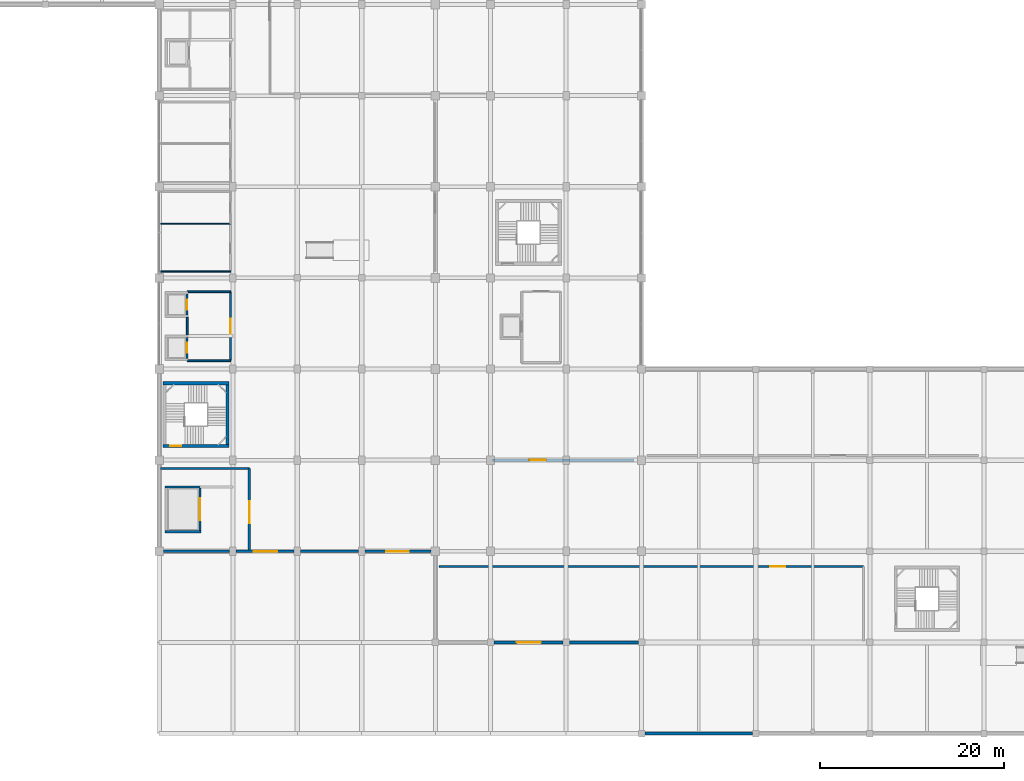
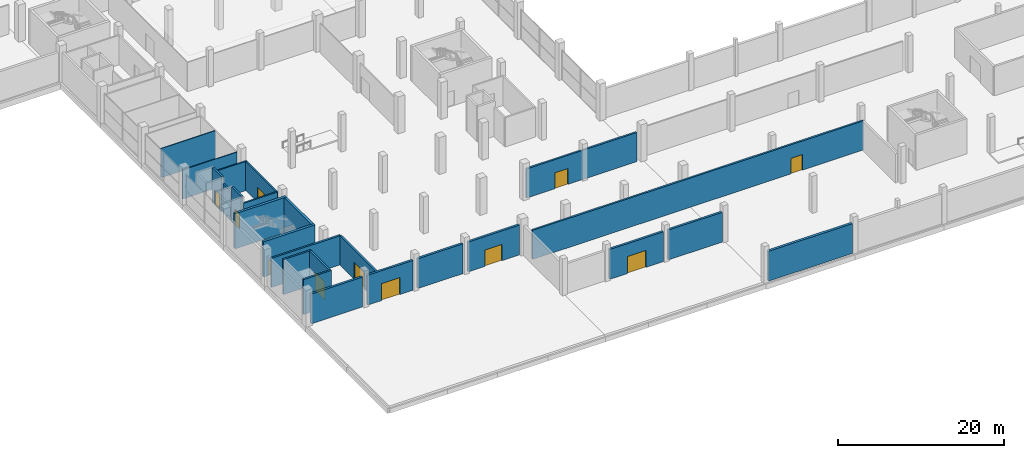
# One storey, part 20 of 50: 25 walls, 11 doors, 11 openings.
"""IFC4 building model written with IfcOpenShell, lengths in metres."""

from ifc_helpers import new_model, si_unit, direction, frame, frame_2d, origin, place, context, subcontext, project, spatial, rectangle, extrude, material, layer, layer_set, type_object, element, fill, save


model = new_model("IFC4")

# Units and contexts
model_context = context("Model", 3, precision=1e-05, world=origin(), true_north=direction((0.0, 1.0)))
body_context = subcontext(model_context, "Body", "Model", "MODEL_VIEW")
ifc_project = project(units=[si_unit("LENGTHUNIT", "METRE"), si_unit("AREAUNIT", "SQUARE_METRE"), si_unit("VOLUMEUNIT", "CUBIC_METRE"), si_unit("PLANEANGLEUNIT", "RADIAN"), si_unit("MASSUNIT", "GRAM", prefix="KILO")], contexts=[model_context])

# Site, building, storey
site_placement = place(None, origin())
site = spatial("IfcSite", under=ifc_project, at=site_placement, CompositionType="ELEMENT")
building_placement = place(site_placement, origin())
building = spatial("IfcBuilding", under=site, at=building_placement, Name="Sillaruma Civic Art Gallery", CompositionType="ELEMENT")
storey_placement = place(building_placement, origin())
storey = spatial("IfcBuildingStorey", under=building, at=storey_placement, Name="L00", CompositionType="ELEMENT", Elevation=0.0)

# Wall, opening, door
ifc_material_1 = material(Name="Concrete H40 (40 MPa)", Category="concrete")
ifc_layer_1 = layer(ifc_material_1, 0.35009765625, Name="Concrete H40 (40 MPa)")
ifc_layer_set_1 = layer_set([ifc_layer_1], Name="Concrete H40 (40 MPa)")
wall_type_1 = type_object("IfcWallType", Name="WAL-CORE-350", PredefinedType="SHEAR", material=ifc_layer_set_1)
wall_1_placement = place(storey_placement, frame((62.409912109375, 31.235107421875, 0.0), z_axis=(0.0, 0.0, 1.0), x_axis=(1.0, 0.0, 0.0)))
wall_1 = element("IfcWall", 1, at=wall_1_placement, inside=storey, type_object=wall_type_1, Name="Stair Core Shear Wall W-CORE-350 (ST-03:L00:S)", PredefinedType="SHEAR", context=body_context, shape_type="SweptSolid", body=[
    extrude(rectangle(XDim=7.18017578125, YDim=0.35009765625, at=frame_2d((3.590087890625, 0.0))), origin(), (0.0, 0.0, 1.0), 5.179931640625),
])
opening_1_placement = place(wall_1_placement, frame((0.77001953125, 0.0, 0.0)))
opening_1 = element("IfcOpeningElement", 2, at=opening_1_placement, cuts=wall_1, Name="Opening D-STAIR", PredefinedType="OPENING", context=body_context, shape_type="SweptSolid", body=[
    extrude(rectangle(XDim=1.199951171875, YDim=2.199951171875, at=frame_2d((0.60009765625, 1.10009765625))), frame((0.0, 0.18505859375, 0.0), z_axis=(0.0, -1.0, 0.0), x_axis=(1.0, 0.0, 0.0)), (0.0, 0.0, 1.0), 0.3701171875),
])
ifc_material_2 = material(Name="Galvanised Steel ASTM A653 Gr.50", Category="steel")
door_type_1 = type_object("IfcDoorType", Name="DOR-STAIR-120", OperationType="NOTDEFINED", PredefinedType="DOOR", material=ifc_material_2)
door_1_placement = place(opening_1_placement, frame((1.199951171875, 0.0, 0.0), z_axis=(0.0, 0.0, 1.0), x_axis=(-1.0, 0.0, 0.0)))
door_1 = element("IfcDoor", 3, at=door_1_placement, inside=storey, type_object=door_type_1, Name="Protected Stair Fire Door (ST-03:L00)", OperationType="SINGLE_SWING_RIGHT", OverallHeight=2.199951171875, OverallWidth=1.199951171875, PredefinedType="DOOR", context=body_context, shape_type="SweptSolid", body=[
    extrude(rectangle(XDim=1.199951171875, YDim=2.199951171875, at=frame_2d((0.60009765625, 1.10009765625))), frame((0.0, 0.02490234375, 0.0), z_axis=(0.0, -1.0, 0.0), x_axis=(1.0, 0.0, 0.0)), (0.0, 0.0, 1.0), 0.050048828125),
])
fill(opening_1, door_1)

# Walls
wall_2_placement = place(storey_placement, frame((62.409912109375, 38.06494140625, 0.0), z_axis=(0.0, 0.0, 1.0), x_axis=(1.0, 0.0, 0.0)))
element("IfcWall", 4, at=wall_2_placement, inside=storey, type_object=wall_type_1, Name="Stair Core Shear Wall W-CORE-350 (ST-03:L00:N)", PredefinedType="SHEAR", context=body_context, shape_type="SweptSolid", body=[
    extrude(rectangle(XDim=7.18017578125, YDim=0.35009765625, at=frame_2d((3.590087890625, 0.0))), origin(), (0.0, 0.0, 1.0), 5.179931640625),
])
wall_3_placement = place(storey_placement, frame((69.4150390625, 31.409912109375, 0.0), z_axis=(0.0, 0.0, 1.0), x_axis=(0.0, 1.0, 0.0)))
element("IfcWall", 5, at=wall_3_placement, inside=storey, type_object=wall_type_1, Name="Stair Core Shear Wall W-CORE-350 (ST-03:L00:E)", PredefinedType="SHEAR", context=body_context, shape_type="SweptSolid", body=[
    extrude(rectangle(XDim=6.47998046875, YDim=0.35009765625, at=frame_2d((3.239990234375, 0.0))), origin(), (0.0, 0.0, 1.0), 5.179931640625),
])
ifc_material_3 = material(Name="Precast Concrete H35 (35 MPa)", Category="concrete")
ifc_layer_2 = layer(ifc_material_3, 0.179931640625, Name="Precast backup", Category="concrete")
ifc_material_4 = material(Name="Mineral Wool Thermal Insulation", Category="insulation")
ifc_layer_3 = layer(ifc_material_4, 0.090087890625, Name="Thermal insulation", Category="insulation")
ifc_material_5 = material(Name="Comanche Granitic Ashlar Stone", Category="masonry")
ifc_layer_4 = layer(ifc_material_5, 0.030029296875, Name="Rainscreen cladding", Category="masonry")
ifc_layer_set_2 = layer_set([ifc_layer_2, ifc_layer_3, ifc_layer_4], Name="W-EXT-300")
wall_type_2 = type_object("IfcWallType", Name="WAL-EXT-300", PredefinedType="SOLIDWALL", material=ifc_layer_set_2)
wall_4_placement = place(storey_placement, frame((62.47509765625, 19.800048828125, 0.0), z_axis=(0.0, 0.0, 1.0), x_axis=(1.0, 0.0, 0.0)))
element("IfcWall", 6, at=wall_4_placement, inside=storey, type_object=wall_type_2, Name="Exterior Wall W-EXT-300 (EW-L00-PSW-FG)", PredefinedType="SOLIDWALL", context=body_context, shape_type="SweptSolid", body=[
    extrude(rectangle(XDim=7.1748046875, YDim=0.300048828125, at=frame_2d((3.58740234375, 0.0))), origin(), (0.0, 0.0, 1.0), 4.39990234375),
])

# Wall, opening, door
wall_5_placement = place(storey_placement, frame((70.35009765625, 19.800048828125, 0.0), z_axis=(0.0, 0.0, 1.0), x_axis=(1.0, 0.0, 0.0)))
wall_5 = element("IfcWall", 7, at=wall_5_placement, inside=storey, type_object=wall_type_2, Name="Exterior Wall W-EXT-300 (EW-L00-PSW-GH)", PredefinedType="SOLIDWALL", context=body_context, shape_type="SweptSolid", body=[
    extrude(rectangle(XDim=6.2998046875, YDim=0.300048828125, at=frame_2d((3.14990234375, 0.0))), origin(), (0.0, 0.0, 1.0), 4.39990234375),
])
opening_2_placement = place(wall_5_placement, frame((1.89990234375, 0.0, 0.0)))
opening_2 = element("IfcOpeningElement", 8, at=opening_2_placement, cuts=wall_5, Name="Opening GD-02", PredefinedType="OPENING", context=body_context, shape_type="SweptSolid", body=[
    extrude(rectangle(XDim=2.60009765625, YDim=2.5, at=frame_2d((1.300048828125, 1.25))), frame((0.0, 0.159912109375, 0.0), z_axis=(0.0, -1.0, 0.0), x_axis=(1.0, 0.0, 0.0)), (0.0, 0.0, 1.0), 0.320068359375),
])
door_type_2 = type_object("IfcDoorType", Name="DOR-GATE-260", OperationType="NOTDEFINED", PredefinedType="GATE", material=ifc_material_2)
door_2_placement = place(opening_2_placement, frame((2.60009765625, 0.0, 0.0), z_axis=(0.0, 0.0, 1.0), x_axis=(-1.0, 0.0, 0.0)))
door_2 = element("IfcDoor", 9, at=door_2_placement, inside=storey, type_object=door_type_2, Name="Pasaje Courtyard Service Gate P1", OperationType="DOUBLE_DOOR_SINGLE_SWING", OverallHeight=2.5, OverallWidth=2.60009765625, PredefinedType="GATE", context=body_context, shape_type="SweptSolid", body=[
    extrude(rectangle(XDim=2.60009765625, YDim=2.5, at=frame_2d((1.300048828125, 1.25))), frame((0.0, 0.02490234375, 0.0), z_axis=(0.0, -1.0, 0.0), x_axis=(1.0, 0.0, 0.0)), (0.0, 0.0, 1.0), 0.050048828125),
])
fill(opening_2, door_2)

# Wall
wall_6_placement = place(storey_placement, frame((77.35009765625, 19.800048828125, 0.0), z_axis=(0.0, 0.0, 1.0), x_axis=(1.0, 0.0, 0.0)))
element("IfcWall", 10, at=wall_6_placement, inside=storey, type_object=wall_type_2, Name="Exterior Wall W-EXT-300 (EW-L00-PSW-HJ)", PredefinedType="SOLIDWALL", context=body_context, shape_type="SweptSolid", body=[
    extrude(rectangle(XDim=6.2998046875, YDim=0.300048828125, at=frame_2d((3.14990234375, 0.0))), origin(), (0.0, 0.0, 1.0), 4.39990234375),
])

# Wall, opening, door
wall_7_placement = place(storey_placement, frame((84.35009765625, 19.800048828125, 0.0), z_axis=(0.0, 0.0, 1.0), x_axis=(1.0, 0.0, 0.0)))
wall_7 = element("IfcWall", 11, at=wall_7_placement, inside=storey, type_object=wall_type_2, Name="Exterior Wall W-EXT-300 (EW-L00-PSW-JK)", PredefinedType="SOLIDWALL", context=body_context, shape_type="SweptSolid", body=[
    extrude(rectangle(XDim=7.1748046875, YDim=0.300048828125, at=frame_2d((3.58740234375, 0.0))), origin(), (0.0, 0.0, 1.0), 4.39990234375),
])
opening_3_placement = place(wall_7_placement, frame((2.3369140625, 0.0, 0.0)))
opening_3 = element("IfcOpeningElement", 12, at=opening_3_placement, cuts=wall_7, Name="Opening GD-03", PredefinedType="OPENING", context=body_context, shape_type="SweptSolid", body=[
    extrude(rectangle(XDim=2.39990234375, YDim=2.39990234375, at=frame_2d((1.199951171875, 1.199951171875))), frame((0.0, 0.159912109375, 0.0), z_axis=(0.0, -1.0, 0.0), x_axis=(1.0, 0.0, 0.0)), (0.0, 0.0, 1.0), 0.320068359375),
])
door_type_3 = type_object("IfcDoorType", Name="DOR-GATE-240", OperationType="NOTDEFINED", PredefinedType="GATE", material=ifc_material_2)
door_3_placement = place(opening_3_placement, frame((2.39990234375, 0.0, 0.0), z_axis=(0.0, 0.0, 1.0), x_axis=(-1.0, 0.0, 0.0)))
door_3 = element("IfcDoor", 13, at=door_3_placement, inside=storey, type_object=door_type_3, Name="Pasaje Courtyard Service Gate P2", OperationType="DOUBLE_DOOR_SINGLE_SWING", OverallHeight=2.39990234375, OverallWidth=2.39990234375, PredefinedType="GATE", context=body_context, shape_type="SweptSolid", body=[
    extrude(rectangle(XDim=2.39990234375, YDim=2.39990234375, at=frame_2d((1.199951171875, 1.199951171875))), frame((0.0, 0.02490234375, 0.0), z_axis=(0.0, -1.0, 0.0), x_axis=(1.0, 0.0, 0.0)), (0.0, 0.0, 1.0), 0.050048828125),
])
fill(opening_3, door_3)

wall_8_placement = place(storey_placement, frame((98.35009765625, 9.89990234375, 0.0), z_axis=(0.0, 0.0, 1.0), x_axis=(1.0, 0.0, 0.0)))
wall_8 = element("IfcWall", 14, at=wall_8_placement, inside=storey, type_object=wall_type_2, Name="Exterior Wall W-EXT-300 (EW-L00-PSE-LM)", PredefinedType="SOLIDWALL", context=body_context, shape_type="SweptSolid", body=[
    extrude(rectangle(XDim=7.5, YDim=0.300048828125, at=frame_2d((3.75, 0.0))), origin(), (0.0, 0.0, 1.0), 4.39990234375),
])
opening_4_placement = place(wall_8_placement, frame((2.5, 0.0, 0.0)))
opening_4 = element("IfcOpeningElement", 15, at=opening_4_placement, cuts=wall_8, Name="Opening GD-02", PredefinedType="OPENING", context=body_context, shape_type="SweptSolid", body=[
    extrude(rectangle(XDim=2.60009765625, YDim=2.5, at=frame_2d((1.300048828125, 1.25))), frame((0.0, 0.159912109375, 0.0), z_axis=(0.0, -1.0, 0.0), x_axis=(1.0, 0.0, 0.0)), (0.0, 0.0, 1.0), 0.320068359375),
])
door_4_placement = place(opening_4_placement, frame((2.60009765625, 0.0, 0.0), z_axis=(0.0, 0.0, 1.0), x_axis=(-1.0, 0.0, 0.0)))
door_4 = element("IfcDoor", 16, at=door_4_placement, inside=storey, type_object=door_type_2, Name="Pasaje Courtyard Service Gate P3", OperationType="DOUBLE_DOOR_SINGLE_SWING", OverallHeight=2.5, OverallWidth=2.60009765625, PredefinedType="GATE", context=body_context, shape_type="SweptSolid", body=[
    extrude(rectangle(XDim=2.60009765625, YDim=2.5, at=frame_2d((1.300048828125, 1.25))), frame((0.0, 0.02490234375, 0.0), z_axis=(0.0, -1.0, 0.0), x_axis=(1.0, 0.0, 0.0)), (0.0, 0.0, 1.0), 0.050048828125),
])
fill(opening_4, door_4)

# Walls
wall_9_placement = place(storey_placement, frame((106.550048828125, 9.89990234375, 0.0), z_axis=(0.0, 0.0, 1.0), x_axis=(1.0, 0.0, 0.0)))
element("IfcWall", 17, at=wall_9_placement, inside=storey, type_object=wall_type_2, Name="Exterior Wall W-EXT-300 (EW-L00-PSE-MN)", PredefinedType="SOLIDWALL", context=body_context, shape_type="SweptSolid", body=[
    extrude(rectangle(XDim=7.5, YDim=0.300048828125, at=frame_2d((3.75, 0.0))), origin(), (0.0, 0.0, 1.0), 4.39990234375),
])
ifc_layer_5 = layer(ifc_material_1, 0.239990234375, Name="Boundary concrete", Category="concrete")
ifc_layer_6 = layer(ifc_material_4, 0.10009765625, Name="Acoustic-thermal liner", Category="insulation")
ifc_layer_set_3 = layer_set([ifc_layer_5, ifc_layer_6], Name="W-EXT-340")
wall_type_3 = type_object("IfcWallType", Name="WAL-EXT-340", PredefinedType="SOLIDWALL", material=ifc_layer_set_3)
wall_10_placement = place(storey_placement, frame((114.75, 0.0, 0.0), z_axis=(0.0, 0.0, 1.0), x_axis=(1.0, 0.0, 0.0)))
element("IfcWall", 18, at=wall_10_placement, inside=storey, type_object=wall_type_3, Name="Exterior Wall W-EXT-340 (EW-L00-EPS-1)", PredefinedType="SOLIDWALL", context=body_context, shape_type="SweptSolid", body=[
    extrude(rectangle(XDim=11.699951171875, YDim=0.340087890625, at=frame_2d((5.85009765625, 0.0))), origin(), (0.0, 0.0, 1.0), 4.39990234375),
])
ifc_material_6 = material(Name="Concrete Masonry Unit Grade M15", Category="masonry")
ifc_layer_7 = layer(ifc_material_6, 0.199951171875, Name="Concrete Masonry Unit Grade M15")
ifc_layer_set_4 = layer_set([ifc_layer_7], Name="Concrete Masonry Unit Grade M15")
wall_type_4 = type_object("IfcWallType", Name="WAL-LOBBY-200", PredefinedType="SOLIDWALL", material=ifc_layer_set_4)
for number, where, z_axis, x_axis, name in (
    (19, (65.050048828125, 40.5, 0.0), (0.0, 0.0, 1.0), (1.0, 0.0, 0.0), "Interior Wall W-LOBBY-200 (L00-LLW)"),
    (20, (65.050048828125, 48.0, 0.0), (0.0, 0.0, 1.0), (1.0, 0.0, 0.0), "Interior Wall W-LOBBY-200 (L00-LLW)"),
):
    element("IfcWall", number, at=place(storey_placement, frame(where, z_axis=z_axis, x_axis=x_axis)), inside=storey, type_object=wall_type_4, Name=name, PredefinedType="SOLIDWALL", context=body_context, shape_type="SweptSolid", body=[
        extrude(rectangle(XDim=4.699951171875, YDim=0.199951171875, at=frame_2d((2.35009765625, 0.0))), origin(), (0.0, 0.0, 1.0), 4.300048828125),
    ])
wall_11_placement = place(storey_placement, frame((65.050048828125, 43.300048828125, 0.0), z_axis=(0.0, 0.0, 1.0), x_axis=(0.0, 1.0, 0.0)))
element("IfcWall", 21, at=wall_11_placement, inside=storey, type_object=wall_type_4, Name="Interior Wall W-LOBBY-200 (L00-LLW)", PredefinedType="SOLIDWALL", context=body_context, shape_type="SweptSolid", body=[
    extrude(rectangle(XDim=1.89990234375, YDim=0.199951171875, at=frame_2d((0.949951171875, 0.0))), origin(), (0.0, 0.0, 1.0), 4.300048828125),
])

# Wall, opening, door
wall_12_placement = place(storey_placement, frame((69.75, 40.5, 0.0), z_axis=(0.0, 0.0, 1.0), x_axis=(0.0, 1.0, 0.0)))
wall_12 = element("IfcWall", 22, at=wall_12_placement, inside=storey, type_object=wall_type_4, Name="Interior Wall W-LOBBY-200 (L00-LLW)", PredefinedType="SOLIDWALL", context=body_context, shape_type="SweptSolid", body=[
    extrude(rectangle(XDim=7.5, YDim=0.199951171875, at=frame_2d((3.75, 0.0))), origin(), (0.0, 0.0, 1.0), 4.300048828125),
])
opening_5_placement = place(wall_12_placement, frame((2.949951171875, 0.0, 0.0)))
opening_5 = element("IfcOpeningElement", 23, at=opening_5_placement, cuts=wall_12, Name="Opening D-LOBBY", PredefinedType="OPENING", context=body_context, shape_type="SweptSolid", body=[
    extrude(rectangle(XDim=1.60009765625, YDim=2.199951171875, at=frame_2d((0.800048828125, 1.10009765625))), frame((0.0, 0.10986328125, 0.0), z_axis=(0.0, -1.0, 0.0), x_axis=(1.0, 0.0, 0.0)), (0.0, 0.0, 1.0), 0.219970703125),
])
ifc_material_7 = material(Name="Thermally Broken Extruded Aluminium 6063-T6", Category="aluminium")
door_type_4 = type_object("IfcDoorType", Name="DOR-LOBBY-160", OperationType="NOTDEFINED", PredefinedType="DOOR", material=ifc_material_7)
door_5_placement = place(opening_5_placement, origin())
door_5 = element("IfcDoor", 24, at=door_5_placement, inside=storey, type_object=door_type_4, Name="West Lift Lobby Door (D-LOBBY)", OperationType="DOUBLE_DOOR_SINGLE_SWING", OverallHeight=2.199951171875, OverallWidth=1.60009765625, PredefinedType="DOOR", context=body_context, shape_type="SweptSolid", body=[
    extrude(rectangle(XDim=1.60009765625, YDim=2.199951171875, at=frame_2d((0.800048828125, 1.10009765625))), frame((0.0, 0.02490234375, 0.0), z_axis=(0.0, -1.0, 0.0), x_axis=(1.0, 0.0, 0.0)), (0.0, 0.0, 1.0), 0.050048828125),
])
fill(opening_5, door_5)

# Walls
ifc_material_8 = material(Name="Gypsum Acoustic Board", Category="gypsum")
ifc_layer_8 = layer(ifc_material_8, 0.02490234375, Name="Finish board", Category="gypsum")
ifc_layer_9 = layer(ifc_material_4, 0.06005859375, Name="Acoustic core", Category="insulation")
ifc_material_9 = material(Name="Andean Oak Timber", Category="wood")
ifc_layer_10 = layer(ifc_material_9, 0.02490234375, Name="Gallery lining", Category="wood")
ifc_layer_set_5 = layer_set([ifc_layer_8, ifc_layer_9, ifc_layer_10], Name="W-PT-110")
wall_type_5 = type_object("IfcWallType", Name="WAL-PART-110", PredefinedType="PARTITIONING", material=ifc_layer_set_5)
wall_13_placement = place(storey_placement, frame((62.14990234375, 55.39990234375, 0.0), z_axis=(0.0, 0.0, 1.0), x_axis=(1.0, 0.0, 0.0)))
element("IfcWall", 25, at=wall_13_placement, inside=storey, type_object=wall_type_5, Name="Interior Wall W-PT-110 (L00-WC1)", PredefinedType="PARTITIONING", context=body_context, shape_type="SweptSolid", body=[
    extrude(rectangle(XDim=7.60009765625, YDim=0.110107421875, at=frame_2d((3.800048828125, 0.0))), origin(), (0.0, 0.0, 1.0), 4.300048828125),
])
ifc_layer_11 = layer(ifc_material_8, 0.02490234375, Name="Finish board", Category="gypsum")
ifc_layer_12 = layer(ifc_material_4, 0.070068359375, Name="Acoustic core", Category="insulation")
ifc_layer_13 = layer(ifc_material_9, 0.02490234375, Name="Gallery lining", Category="wood")
ifc_layer_set_6 = layer_set([ifc_layer_11, ifc_layer_12, ifc_layer_13], Name="W-PT-120")
wall_type_6 = type_object("IfcWallType", Name="WAL-PART-120", PredefinedType="PARTITIONING", material=ifc_layer_set_6)
wall_14_placement = place(storey_placement, frame((62.14990234375, 50.199951171875, 0.0), z_axis=(0.0, 0.0, 1.0), x_axis=(1.0, 0.0, 0.0)))
element("IfcWall", 26, at=wall_14_placement, inside=storey, type_object=wall_type_6, Name="Interior Wall W-PT-120 (L00-WC1)", PredefinedType="PARTITIONING", context=body_context, shape_type="SweptSolid", body=[
    extrude(rectangle(XDim=7.60009765625, YDim=0.1201171875, at=frame_2d((3.800048828125, 0.0))), origin(), (0.0, 0.0, 1.0), 4.300048828125),
])

# Wall, opening, door
ifc_layer_14 = layer(ifc_material_1, 0.25, Name="Concrete H40 (40 MPa)")
ifc_layer_set_7 = layer_set([ifc_layer_14], Name="Concrete H40 (40 MPa)")
wall_type_7 = type_object("IfcWallType", Name="WAL-SHAFT-250", PredefinedType="SOLIDWALL", material=ifc_layer_set_7)
wall_15_placement = place(storey_placement, frame((65.02490234375, 40.75, 0.0), z_axis=(0.0, 0.0, 1.0), x_axis=(0.0, 1.0, 0.0)))
wall_15 = element("IfcWall", 27, at=wall_15_placement, inside=storey, type_object=wall_type_7, Name="Lift Shaft Wall W-SHAFT-250 (PL-01:L00:E)", PredefinedType="SOLIDWALL", context=body_context, shape_type="SweptSolid", body=[
    extrude(rectangle(XDim=2.300048828125, YDim=0.25, at=frame_2d((1.14990234375, 0.0))), origin(), (0.0, 0.0, 1.0), 5.159912109375),
])
opening_6_placement = place(wall_15_placement, frame((0.60009765625, 0.0, 0.0)))
opening_6 = element("IfcOpeningElement", 28, at=opening_6_placement, cuts=wall_15, Name="Opening LD-01", PredefinedType="OPENING", context=body_context, shape_type="SweptSolid", body=[
    extrude(rectangle(XDim=1.10009765625, YDim=2.199951171875, at=frame_2d((0.550048828125, 1.10009765625))), frame((0.0, 0.135009765625, 0.0), z_axis=(0.0, -1.0, 0.0), x_axis=(1.0, 0.0, 0.0)), (0.0, 0.0, 1.0), 0.27001953125),
])
door_type_5 = type_object("IfcDoorType", Name="DOR-LD-01", OperationType="NOTDEFINED", PredefinedType="DOOR", material=ifc_material_2)
door_6_placement = place(opening_6_placement, origin())
door_6 = element("IfcDoor", 29, at=door_6_placement, inside=storey, type_object=door_type_5, Name="Lift Sliding Landing Door LD-01 (PL-01:L00)", OperationType="DOUBLE_DOOR_SLIDING", OverallHeight=2.199951171875, OverallWidth=1.10009765625, PredefinedType="DOOR", context=body_context, shape_type="SweptSolid", body=[
    extrude(rectangle(XDim=1.10009765625, YDim=2.199951171875, at=frame_2d((0.550048828125, 1.10009765625))), frame((0.0, 0.02490234375, 0.0), z_axis=(0.0, -1.0, 0.0), x_axis=(1.0, 0.0, 0.0)), (0.0, 0.0, 1.0), 0.050048828125),
])
fill(opening_6, door_6)

wall_16_placement = place(storey_placement, frame((65.02490234375, 45.449951171875, 0.0), z_axis=(0.0, 0.0, 1.0), x_axis=(0.0, 1.0, 0.0)))
wall_16 = element("IfcWall", 30, at=wall_16_placement, inside=storey, type_object=wall_type_7, Name="Lift Shaft Wall W-SHAFT-250 (PL-02:L00:E)", PredefinedType="SOLIDWALL", context=body_context, shape_type="SweptSolid", body=[
    extrude(rectangle(XDim=2.300048828125, YDim=0.25, at=frame_2d((1.14990234375, 0.0))), origin(), (0.0, 0.0, 1.0), 5.159912109375),
])
opening_7_placement = place(wall_16_placement, frame((0.60009765625, 0.0, 0.0)))
opening_7 = element("IfcOpeningElement", 31, at=opening_7_placement, cuts=wall_16, Name="Opening LD-01", PredefinedType="OPENING", context=body_context, shape_type="SweptSolid", body=[
    extrude(rectangle(XDim=1.10009765625, YDim=2.199951171875, at=frame_2d((0.550048828125, 1.10009765625))), frame((0.0, 0.135009765625, 0.0), z_axis=(0.0, -1.0, 0.0), x_axis=(1.0, 0.0, 0.0)), (0.0, 0.0, 1.0), 0.27001953125),
])
door_7_placement = place(opening_7_placement, origin())
door_7 = element("IfcDoor", 32, at=door_7_placement, inside=storey, type_object=door_type_5, Name="Lift Sliding Landing Door LD-01 (PL-02:L00)", OperationType="DOUBLE_DOOR_SLIDING", OverallHeight=2.199951171875, OverallWidth=1.10009765625, PredefinedType="DOOR", context=body_context, shape_type="SweptSolid", body=[
    extrude(rectangle(XDim=1.10009765625, YDim=2.199951171875, at=frame_2d((0.550048828125, 1.10009765625))), frame((0.0, 0.02490234375, 0.0), z_axis=(0.0, -1.0, 0.0), x_axis=(1.0, 0.0, 0.0)), (0.0, 0.0, 1.0), 0.050048828125),
])
fill(opening_7, door_7)

# Walls
for number, where, z_axis, x_axis, name in (
    (33, (62.64990234375, 21.925048828125, 0.0), (0.0, 0.0, 1.0), (1.0, 0.0, 0.0), "Lift Shaft Wall W-SHAFT-250 (GL-01:L00:S)"),
    (34, (62.64990234375, 26.77490234375, 0.0), (0.0, 0.0, 1.0), (1.0, 0.0, 0.0), "Lift Shaft Wall W-SHAFT-250 (GL-01:L00:N)"),
):
    element("IfcWall", number, at=place(storey_placement, frame(where, z_axis=z_axis, x_axis=x_axis)), inside=storey, type_object=wall_type_7, Name=name, PredefinedType="SOLIDWALL", context=body_context, shape_type="SweptSolid", body=[
        extrude(rectangle(XDim=3.900146484375, YDim=0.25, at=frame_2d((1.9501953125, 0.0))), origin(), (0.0, 0.0, 1.0), 5.159912109375),
    ])

# Wall, opening, door
wall_17_placement = place(storey_placement, frame((66.425048828125, 22.050048828125, 0.0), z_axis=(0.0, 0.0, 1.0), x_axis=(0.0, 1.0, 0.0)))
wall_17 = element("IfcWall", 35, at=wall_17_placement, inside=storey, type_object=wall_type_7, Name="Lift Shaft Wall W-SHAFT-250 (GL-01:L00:E)", PredefinedType="SOLIDWALL", context=body_context, shape_type="SweptSolid", body=[
    extrude(rectangle(XDim=4.599853515625, YDim=0.25, at=frame_2d((2.2998046875, 0.0))), origin(), (0.0, 0.0, 1.0), 5.159912109375),
])
opening_8_placement = place(wall_17_placement, frame((1.10009765625, 0.0, 0.0)))
opening_8 = element("IfcOpeningElement", 36, at=opening_8_placement, cuts=wall_17, Name="Opening LD-03", PredefinedType="OPENING", context=body_context, shape_type="SweptSolid", body=[
    extrude(rectangle(XDim=2.39990234375, YDim=2.64990234375, at=frame_2d((1.199951171875, 1.324951171875))), frame((0.0, 0.135009765625, 0.0), z_axis=(0.0, -1.0, 0.0), x_axis=(1.0, 0.0, 0.0)), (0.0, 0.0, 1.0), 0.27001953125),
])
door_type_6 = type_object("IfcDoorType", Name="DOR-LD-03", OperationType="NOTDEFINED", PredefinedType="DOOR", material=ifc_material_2)
door_8_placement = place(opening_8_placement, origin())
door_8 = element("IfcDoor", 37, at=door_8_placement, inside=storey, type_object=door_type_6, Name="Lift Sliding Landing Door LD-03 (GL-01:L00)", OperationType="DOUBLE_DOOR_SLIDING", OverallHeight=2.64990234375, OverallWidth=2.39990234375, PredefinedType="DOOR", context=body_context, shape_type="SweptSolid", body=[
    extrude(rectangle(XDim=2.39990234375, YDim=2.64990234375, at=frame_2d((1.199951171875, 1.324951171875))), frame((0.0, 0.02490234375, 0.0), z_axis=(0.0, -1.0, 0.0), x_axis=(1.0, 0.0, 0.0)), (0.0, 0.0, 1.0), 0.050048828125),
])
fill(opening_8, door_8)

# Wall
ifc_layer_15 = layer(ifc_material_6, 0.2548828125, Name="Concrete Masonry Unit Grade M15")
ifc_layer_set_8 = layer_set([ifc_layer_15], Name="Concrete Masonry Unit Grade M15")
wall_type_8 = type_object("IfcWallType", Name="WAL-STORE-250", PredefinedType="SOLIDWALL", material=ifc_layer_set_8)
wall_18_placement = place(storey_placement, frame((62.14990234375, 28.800048828125, 0.0), z_axis=(0.0, 0.0, 1.0), x_axis=(1.0, 0.0, 0.0)))
element("IfcWall", 38, at=wall_18_placement, inside=storey, type_object=wall_type_8, Name="Interior Wall W-STORE-250 (L00-AIR)", PredefinedType="SOLIDWALL", context=body_context, shape_type="SweptSolid", body=[
    extrude(rectangle(XDim=9.650146484375, YDim=0.2548828125, at=frame_2d((4.8251953125, 0.0))), origin(), (0.0, 0.0, 1.0), 4.300048828125),
])

# Wall, opening, door
wall_19_placement = place(storey_placement, frame((71.800048828125, 19.949951171875, 0.0), z_axis=(0.0, 0.0, 1.0), x_axis=(0.0, 1.0, 0.0)))
wall_19 = element("IfcWall", 39, at=wall_19_placement, inside=storey, type_object=wall_type_8, Name="Interior Wall W-STORE-250 (L00-AIR)", PredefinedType="SOLIDWALL", context=body_context, shape_type="SweptSolid", body=[
    extrude(rectangle(XDim=8.85009765625, YDim=0.2548828125, at=frame_2d((4.425048828125, 0.0))), origin(), (0.0, 0.0, 1.0), 4.300048828125),
])
opening_9_placement = place(wall_19_placement, frame((2.89990234375, 0.0, 0.0)))
opening_9 = element("IfcOpeningElement", 40, at=opening_9_placement, cuts=wall_19, Name="Opening D-STR24", PredefinedType="OPENING", context=body_context, shape_type="SweptSolid", body=[
    extrude(rectangle(XDim=2.39990234375, YDim=2.5, at=frame_2d((1.199951171875, 1.25))), frame((0.0, 0.137451171875, 0.0), z_axis=(0.0, -1.0, 0.0), x_axis=(1.0, 0.0, 0.0)), (0.0, 0.0, 1.0), 0.27490234375),
])
door_type_7 = type_object("IfcDoorType", Name="DOR-STORE-240", OperationType="NOTDEFINED", PredefinedType="DOOR", material=ifc_material_2)
door_9_placement = place(opening_9_placement, origin())
door_9 = element("IfcDoor", 41, at=door_9_placement, inside=storey, type_object=door_type_7, Name="Crate Airlock Door (D-STR24)", OperationType="DOUBLE_DOOR_SINGLE_SWING", OverallHeight=2.5, OverallWidth=2.39990234375, PredefinedType="DOOR", context=body_context, shape_type="SweptSolid", body=[
    extrude(rectangle(XDim=2.39990234375, YDim=2.5, at=frame_2d((1.199951171875, 1.25))), frame((0.0, 0.02490234375, 0.0), z_axis=(0.0, -1.0, 0.0), x_axis=(1.0, 0.0, 0.0)), (0.0, 0.0, 1.0), 0.050048828125),
])
fill(opening_9, door_9)

wall_20_placement = place(storey_placement, frame((98.199951171875, 29.699951171875, 0.0), z_axis=(0.0, 0.0, 1.0), x_axis=(1.0, 0.0, 0.0)))
wall_20 = element("IfcWall", 42, at=wall_20_placement, inside=storey, type_object=wall_type_8, Name="Interior Wall W-STORE-250 (L00-STR0C)", PredefinedType="SOLIDWALL", context=body_context, shape_type="SweptSolid", body=[
    extrude(rectangle(XDim=15.400146484375, YDim=0.2548828125, at=frame_2d((7.7001953125, 0.0))), origin(), (0.0, 0.0, 1.0), 4.300048828125),
])
opening_10_placement = place(wall_20_placement, frame((4.0, 0.0, 0.0)))
opening_10 = element("IfcOpeningElement", 43, at=opening_10_placement, cuts=wall_20, Name="Opening D-STR18", PredefinedType="OPENING", context=body_context, shape_type="SweptSolid", body=[
    extrude(rectangle(XDim=1.800048828125, YDim=2.35009765625, at=frame_2d((0.89990234375, 1.175048828125))), frame((0.0, 0.137451171875, 0.0), z_axis=(0.0, -1.0, 0.0), x_axis=(1.0, 0.0, 0.0)), (0.0, 0.0, 1.0), 0.27490234375),
])
door_type_8 = type_object("IfcDoorType", Name="DOR-STORE-180", OperationType="NOTDEFINED", PredefinedType="DOOR", material=ifc_material_2)
door_10_placement = place(opening_10_placement, origin())
door_10 = element("IfcDoor", 44, at=door_10_placement, inside=storey, type_object=door_type_8, Name="East Spine Art Store Door (D-STR18)", OperationType="DOUBLE_DOOR_SINGLE_SWING", OverallHeight=2.35009765625, OverallWidth=1.800048828125, PredefinedType="DOOR", context=body_context, shape_type="SweptSolid", body=[
    extrude(rectangle(XDim=1.800048828125, YDim=2.35009765625, at=frame_2d((0.89990234375, 1.175048828125))), frame((0.0, 0.02490234375, 0.0), z_axis=(0.0, -1.0, 0.0), x_axis=(1.0, 0.0, 0.0)), (0.0, 0.0, 1.0), 0.050048828125),
])
fill(opening_10, door_10)

wall_21_placement = place(storey_placement, frame((92.39990234375, 18.14990234375, 0.0), z_axis=(0.0, 0.0, 1.0), x_axis=(1.0, 0.0, 0.0)))
wall_21 = element("IfcWall", 45, at=wall_21_placement, inside=storey, type_object=wall_type_8, Name="Interior Wall W-STORE-250 (L00-STRE0)", PredefinedType="SOLIDWALL", context=body_context, shape_type="SweptSolid", body=[
    extrude(rectangle(XDim=46.10009765625, YDim=0.2548828125, at=frame_2d((23.050048828125, 0.0))), origin(), (0.0, 0.0, 1.0), 4.300048828125),
])
opening_11_placement = place(wall_21_placement, frame((36.0, 0.0, 0.0)))
opening_11 = element("IfcOpeningElement", 46, at=opening_11_placement, cuts=wall_21, Name="Opening D-STR16", PredefinedType="OPENING", context=body_context, shape_type="SweptSolid", body=[
    extrude(rectangle(XDim=1.60009765625, YDim=2.300048828125, at=frame_2d((0.800048828125, 1.14990234375))), frame((0.0, 0.137451171875, 0.0), z_axis=(0.0, -1.0, 0.0), x_axis=(1.0, 0.0, 0.0)), (0.0, 0.0, 1.0), 0.27490234375),
])
door_type_9 = type_object("IfcDoorType", Name="DOR-STORE-160", OperationType="NOTDEFINED", PredefinedType="DOOR", material=ifc_material_2)
door_11_placement = place(opening_11_placement, origin())
door_11 = element("IfcDoor", 47, at=door_11_placement, inside=storey, type_object=door_type_9, Name="Transit Quarantine Art Store Door (D-STR16)", OperationType="DOUBLE_DOOR_SINGLE_SWING", OverallHeight=2.300048828125, OverallWidth=1.60009765625, PredefinedType="DOOR", context=body_context, shape_type="SweptSolid", body=[
    extrude(rectangle(XDim=1.60009765625, YDim=2.300048828125, at=frame_2d((0.800048828125, 1.14990234375))), frame((0.0, 0.02490234375, 0.0), z_axis=(0.0, -1.0, 0.0), x_axis=(1.0, 0.0, 0.0)), (0.0, 0.0, 1.0), 0.050048828125),
])
fill(opening_11, door_11)

save(model, "model.ifc")
